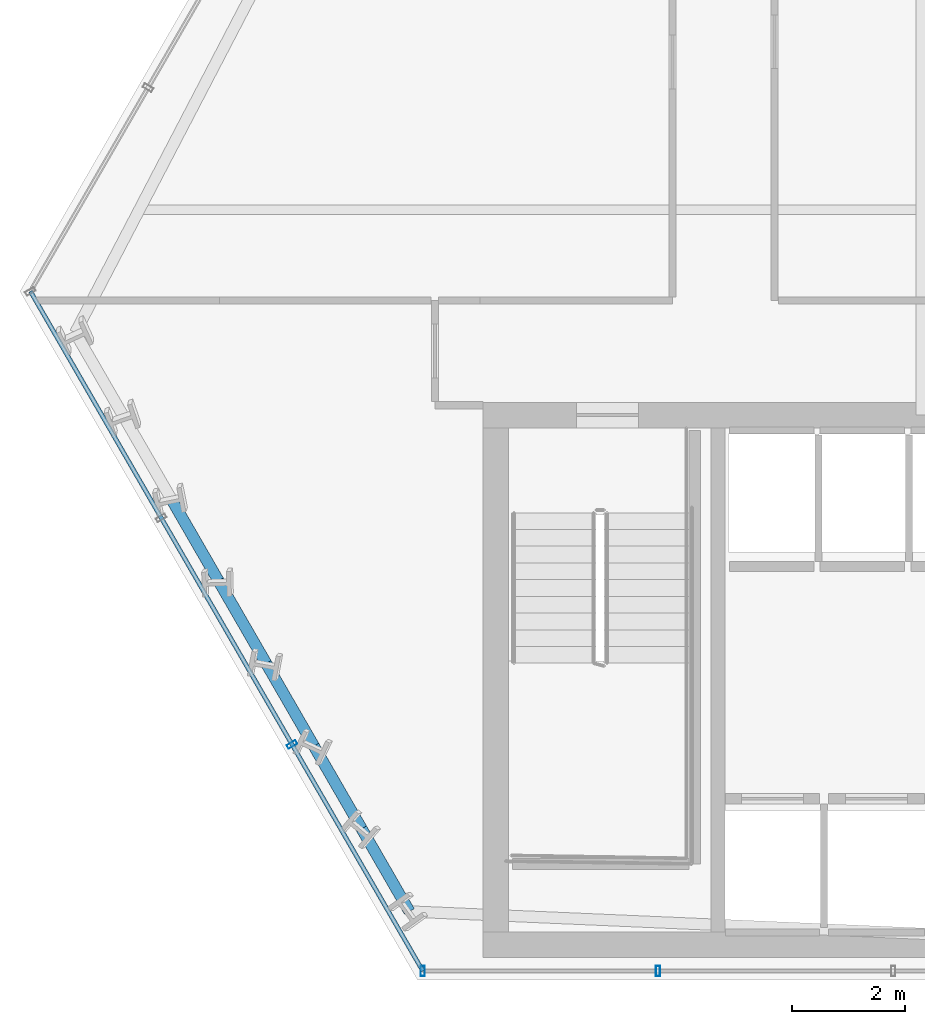
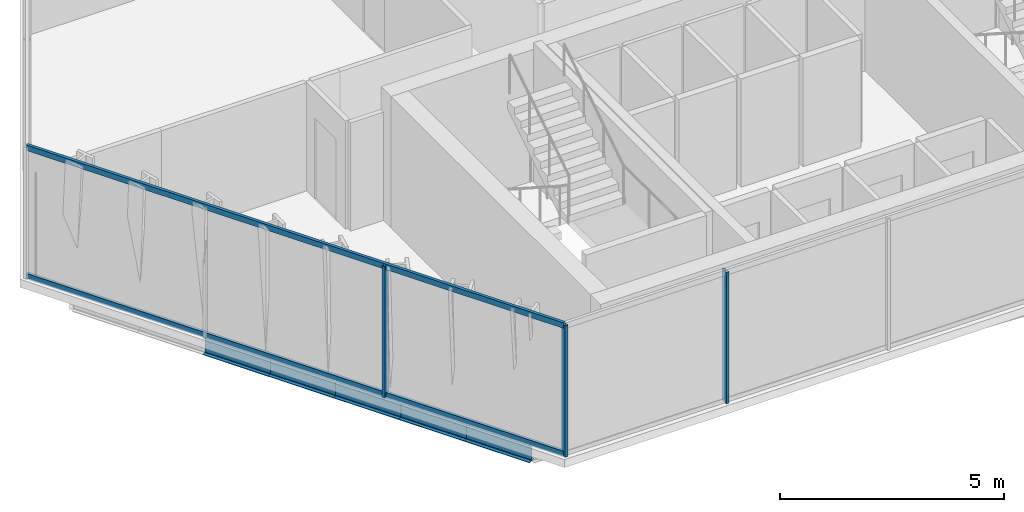
# One storey, part 2 of 32: 5 beams, 5 members, 2 elements without a shape of their own.
"""IFC4 building model written with IfcOpenShell, lengths in metres."""

from ifc_helpers import new_model, si_unit, direction, frame, origin, origin_2d, place, context, subcontext, project, spatial, hollow_rectangle, i_section, extrude, material, layer, layer_set, material_profile, profile_set, type_object, element, aggregate, save


model = new_model("IFC4")

# Units and contexts
model_context = context("Model", 3, precision=1e-05, world=origin(), true_north=direction((0.0, 1.0)))
body_context = subcontext(model_context, "Body", "Model", "MODEL_VIEW")
ifc_project = project(units=[si_unit("LENGTHUNIT", "METRE"), si_unit("AREAUNIT", "SQUARE_METRE"), si_unit("VOLUMEUNIT", "CUBIC_METRE"), si_unit("PLANEANGLEUNIT", "RADIAN"), si_unit("MASSUNIT", "GRAM", prefix="KILO")], contexts=[model_context])

# Site, building, storey
site_placement = place(None, origin())
site = spatial("IfcSite", under=ifc_project, at=site_placement, CompositionType="ELEMENT")
building_placement = place(site_placement, origin())
building = spatial("IfcBuilding", under=site, at=building_placement, Name="Ndaravel Arena Tower", CompositionType="ELEMENT")
storey_placement = place(building_placement, frame((0.0, 0.0, 96.800048828125)))
storey = spatial("IfcBuildingStorey", under=building, at=storey_placement, Name="L22", CompositionType="ELEMENT", Elevation=96.800048828125)

# Beams
ifc_material_1 = material(Name="Steel S355", Category="steel")
ifc_material_profile_1 = material_profile(ifc_material_1, i_section(OverallWidth=0.199951171875, OverallDepth=0.5, WebThickness=0.01025390625, FlangeThickness=0.01611328125, FilletRadius=0.02099609375, at=origin_2d()), Name="IPE 500")
ifc_profile_set_1 = profile_set([ifc_material_profile_1], Name="Steel S355")
beam_type = type_object("IfcBeamType", Name="BM-SPAN-IPE500", PredefinedType="SPANDREL", material=ifc_profile_set_1)
beam_1_placement = place(storey_placement, frame((20.93603515625, 13.510498046875, -0.469970703125), z_axis=(0.499985669323, -0.866033677446, 0.0), x_axis=(0.866033677446, 0.499985669323, 0.0)))
element("IfcBeam", 1, at=beam_1_placement, inside=storey, type_object=beam_type, Name="L22 Perimeter Spandrel Beam SP-22", PredefinedType="SPANDREL", context=body_context, shape_type="SweptSolid", body=[
    extrude(i_section(OverallWidth=0.199951171875, OverallDepth=0.5, WebThickness=0.01025390625, FlangeThickness=0.01611328125, FilletRadius=0.02099609375, at=origin_2d()), origin(), (0.0, 0.0, 1.0), 1.68603515625),
])
beam_2_placement = place(storey_placement, frame((21.779052734375, 12.05029296875, -0.469970703125), z_axis=(0.500048373822, -0.865997473344, 0.0), x_axis=(0.865997473344, 0.500048373822, 0.0)))
element("IfcBeam", 2, at=beam_2_placement, inside=storey, type_object=beam_type, Name="L22 Perimeter Spandrel Beam SP-23", PredefinedType="SPANDREL", context=body_context, shape_type="SweptSolid", body=[
    extrude(i_section(OverallWidth=0.199951171875, OverallDepth=0.5, WebThickness=0.01025390625, FlangeThickness=0.01611328125, FilletRadius=0.02099609375, at=origin_2d()), origin(), (0.0, 0.0, 1.0), 1.685791015625),
])
beam_3_placement = place(storey_placement, frame((22.6220703125, 10.59033203125, -0.469970703125), z_axis=(0.499985669323, -0.866033677446, 0.0), x_axis=(0.866033677446, 0.499985669323, 0.0)))
element("IfcBeam", 3, at=beam_3_placement, inside=storey, type_object=beam_type, Name="L22 Perimeter Spandrel Beam SP-24", PredefinedType="SPANDREL", context=body_context, shape_type="SweptSolid", body=[
    extrude(i_section(OverallWidth=0.199951171875, OverallDepth=0.5, WebThickness=0.01025390625, FlangeThickness=0.01611328125, FilletRadius=0.02099609375, at=origin_2d()), origin(), (0.0, 0.0, 1.0), 1.68603515625),
])
beam_4_placement = place(storey_placement, frame((23.465087890625, 9.130126953125, -0.469970703125), z_axis=(0.499939757307, -0.866060182126, 0.0), x_axis=(0.866060182126, 0.499939757307, 0.0)))
element("IfcBeam", 4, at=beam_4_placement, inside=storey, type_object=beam_type, Name="L22 Perimeter Spandrel Beam SP-25", PredefinedType="SPANDREL", context=body_context, shape_type="SweptSolid", body=[
    extrude(i_section(OverallWidth=0.199951171875, OverallDepth=0.5, WebThickness=0.01025390625, FlangeThickness=0.01611328125, FilletRadius=0.02099609375, at=origin_2d()), origin(), (0.0, 0.0, 1.0), 1.685791015625),
])
beam_5_placement = place(storey_placement, frame((24.307861328125, 7.670166015625, -0.469970703125), z_axis=(0.499985669323, -0.866033677446, 0.0), x_axis=(0.866033677446, 0.499985669323, 0.0)))
element("IfcBeam", 5, at=beam_5_placement, inside=storey, type_object=beam_type, Name="L22 Perimeter Spandrel Beam SP-26", PredefinedType="SPANDREL", context=body_context, shape_type="SweptSolid", body=[
    extrude(i_section(OverallWidth=0.199951171875, OverallDepth=0.5, WebThickness=0.01025390625, FlangeThickness=0.01611328125, FilletRadius=0.02099609375, at=origin_2d()), origin(), (0.0, 0.0, 1.0), 1.68603515625),
])

# Curtain wall, members
ifc_material_2 = material(Name="Aluminium", Category="aluminium")
ifc_layer_1 = layer(ifc_material_2, 0.179931640625)
ifc_layer_set_1 = layer_set([ifc_layer_1], Name="Aluminium")
curtain_wall_type_1 = type_object("IfcCurtainWallType", Name="CW-SYS-03", PredefinedType="NOTDEFINED", material=ifc_layer_set_1)
curtain_wall_1_placement = place(storey_placement, origin())
curtain_wall_1 = element("IfcCurtainWall", 6, at=curtain_wall_1_placement, inside=storey, type_object=curtain_wall_type_1, Name="L22 Faceted Crystal Curtain Wall CW-L22-E01", PredefinedType="NOTDEFINED")
ifc_material_3 = material(Name="Aluminium", Category="aluminium")
ifc_material_profile_2 = material_profile(ifc_material_3, hollow_rectangle(XDim=0.074951171875, YDim=0.179931640625, WallThickness=0.00390625, at=origin_2d()), Name="CW MULLION 75x180x4")
ifc_profile_set_2 = profile_set([ifc_material_profile_2], Name="Aluminium")
member_type_1 = type_object("IfcMemberType", Name="MEM-CW-MUL180", PredefinedType="MULLION", material=ifc_profile_set_2)
member_1_placement = place(storey_placement, frame((25.3876953125, 5.159912109375, 0.0), z_axis=(0.0, 0.0, 1.0), x_axis=(1.0, 0.0, 0.0)))
member_1 = element("IfcMember", 7, at=member_1_placement, type_object=member_type_1, Name="CW-L22-E01 Mullion 00", PredefinedType="MULLION", context=body_context, shape_type="SweptSolid", body=[
    extrude(hollow_rectangle(XDim=0.074951171875, YDim=0.179931640625, WallThickness=0.00390625, at=origin_2d()), origin(), (0.0, 0.0, 1.0), 3.579833984375),
])
member_2_placement = place(storey_placement, frame((29.540771484375, 5.159912109375, 0.0), z_axis=(0.0, 0.0, 1.0), x_axis=(1.0, 0.0, 0.0)))
member_2 = element("IfcMember", 8, at=member_2_placement, type_object=member_type_1, Name="CW-L22-E01 Mullion 01", PredefinedType="MULLION", context=body_context, shape_type="SweptSolid", body=[
    extrude(hollow_rectangle(XDim=0.074951171875, YDim=0.179931640625, WallThickness=0.00390625, at=origin_2d()), origin(), (0.0, 0.0, 1.0), 3.579833984375),
])
aggregate(curtain_wall_1, [member_1, member_2])

ifc_material_4 = material(Name="Aluminium", Category="aluminium")
ifc_layer_2 = layer(ifc_material_4, 0.179931640625)
ifc_layer_set_2 = layer_set([ifc_layer_2], Name="Aluminium")
curtain_wall_type_2 = type_object("IfcCurtainWallType", Name="CW-SYS-02", PredefinedType="NOTDEFINED", material=ifc_layer_set_2)
curtain_wall_2_placement = place(storey_placement, origin())
curtain_wall_2 = element("IfcCurtainWall", 9, at=curtain_wall_2_placement, inside=storey, type_object=curtain_wall_type_2, Name="L22 Faceted Crystal Curtain Wall CW-L22-E06", PredefinedType="NOTDEFINED")
member_3_placement = place(storey_placement, frame((23.078125, 9.16015625, 0.0), z_axis=(0.0, 0.0, 1.0), x_axis=(0.5, -0.866025403784, 0.0)))
member_3 = element("IfcMember", 10, at=member_3_placement, type_object=member_type_1, Name="CW-L22-E06 Mullion 02", PredefinedType="MULLION", context=body_context, shape_type="SweptSolid", body=[
    extrude(hollow_rectangle(XDim=0.074951171875, YDim=0.179931640625, WallThickness=0.00390625, at=origin_2d()), origin(), (0.0, 0.0, 1.0), 3.579833984375),
])
ifc_material_5 = material(Name="Aluminium", Category="aluminium")
ifc_material_profile_3 = material_profile(ifc_material_5, hollow_rectangle(XDim=0.074951171875, YDim=0.14990234375, WallThickness=0.00390625, at=origin_2d()), Name="CW TRANSOM 75x150x4")
ifc_profile_set_3 = profile_set([ifc_material_profile_3], Name="Aluminium")
member_type_2 = type_object("IfcMemberType", Name="MEM-CW-TRN150", PredefinedType="USERDEFINED", material=ifc_profile_set_3)
member_4_placement = place(storey_placement, frame((18.458984375, 17.16064453125, 0.0400390625), z_axis=(0.500004591975, -0.86602275259, 0.0), x_axis=(0.86602275259, 0.500004591975, 0.0)))
member_4 = element("IfcMember", 11, at=member_4_placement, type_object=member_type_2, Name="CW-L22-E06 Transom 01", ObjectType="TRANSOM", PredefinedType="USERDEFINED", context=body_context, shape_type="SweptSolid", body=[
    extrude(hollow_rectangle(XDim=0.074951171875, YDim=0.14990234375, WallThickness=0.00390625, at=origin_2d()), origin(), (0.0, 0.0, 1.0), 13.857177734375),
])
member_5_placement = place(storey_placement, frame((18.458984375, 17.16064453125, 3.5400390625), z_axis=(0.500004591975, -0.86602275259, 0.0), x_axis=(0.86602275259, 0.500004591975, 0.0)))
member_5 = element("IfcMember", 12, at=member_5_placement, type_object=member_type_2, Name="CW-L22-E06 Transom 02", ObjectType="TRANSOM", PredefinedType="USERDEFINED", context=body_context, shape_type="SweptSolid", body=[
    extrude(hollow_rectangle(XDim=0.074951171875, YDim=0.14990234375, WallThickness=0.00390625, at=origin_2d()), origin(), (0.0, 0.0, 1.0), 13.857177734375),
])
aggregate(curtain_wall_2, [member_3, member_4, member_5])

save(model, "model.ifc")
